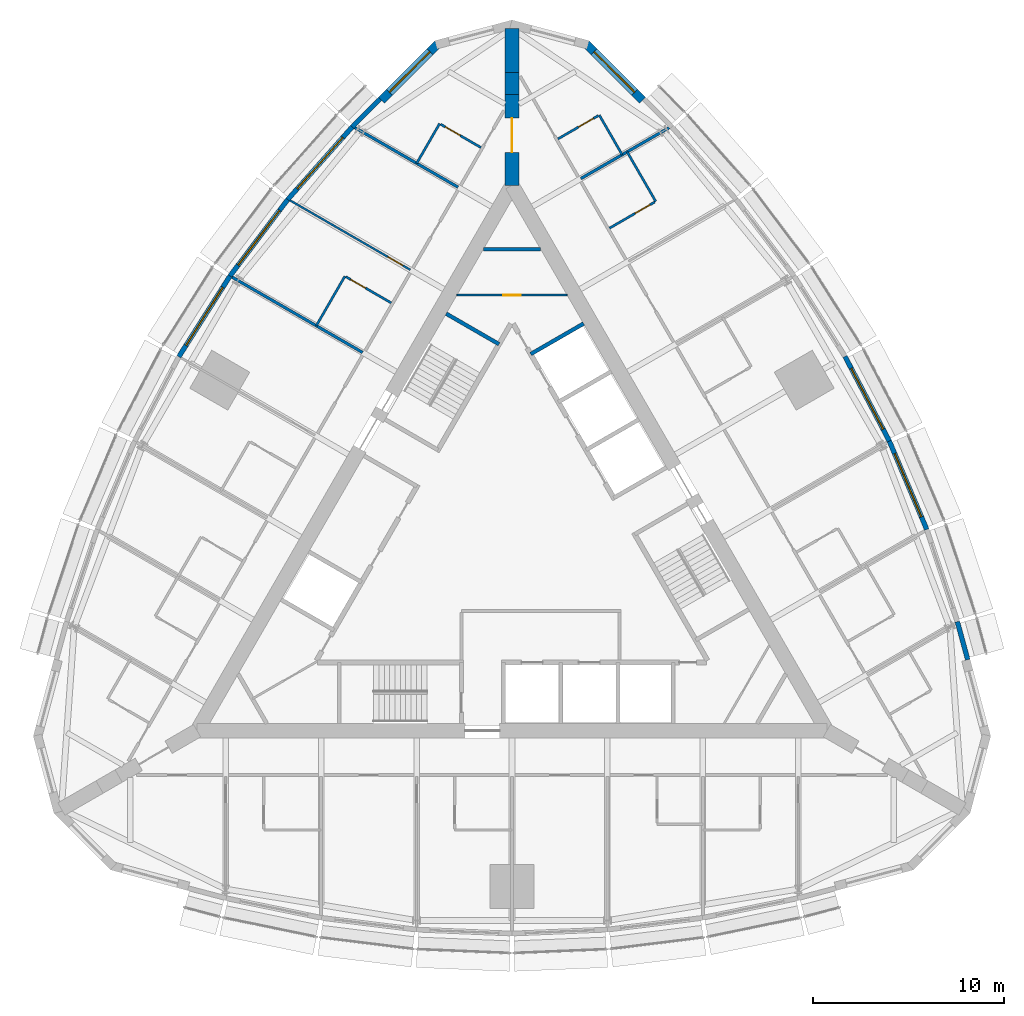
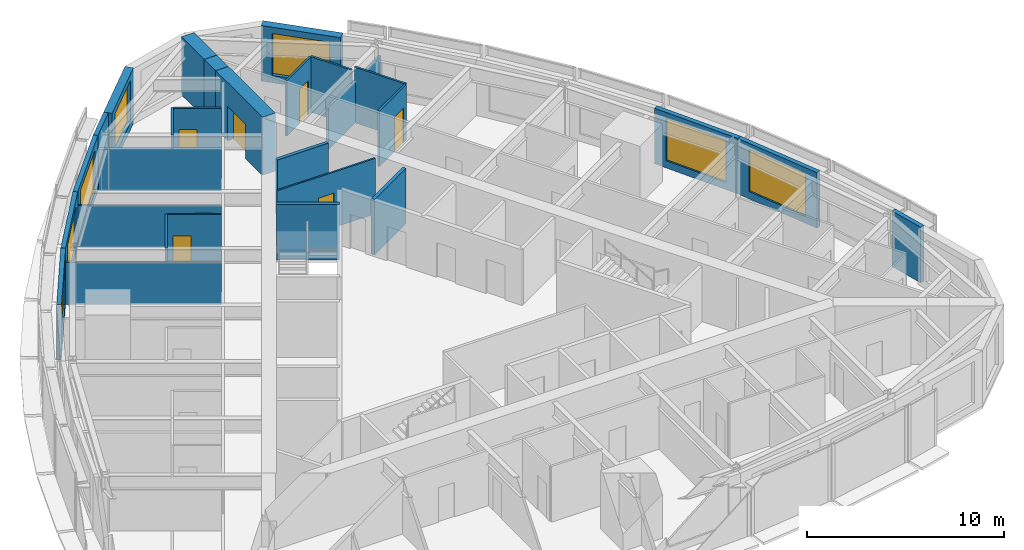
# One storey, part 13 of 15: 28 walls, 7 doors, 7 windows, 14 openings.
"""IFC4 building model written with IfcOpenShell, lengths in metres."""

import ifcopenshell
import ifcopenshell.guid

model = None  # the IFC model being written
_history = None  # IfcOwnerHistory: only IFC2X3 demands one
_inside = {}  # id of a spatial element -> (the spatial element, [elements in it])
_under = {}  # id of a project, library or spatial element -> (it, [spatial elements below it])
_declared = {}  # id of a project -> (the project, [libraries it declares])
_typed = {}  # id of a type object -> (the type object, [elements of that type])
_made_of = {}  # id of a material, layer set ... -> (it, [elements and type objects made of it])


def new_model(schema):
    """Start an empty IFC model of exactly this schema.

    Asked for "IFC4X3", IfcOpenShell would pick the latest addendum, in which some entities
    have other attributes; the version numbers below select the first issue.
    IFC2X3 requires an IfcOwnerHistory on every rooted entity: one is made here for all.
    """
    global model, _history
    if schema == "IFC4X3":
        model = ifcopenshell.file(schema_version=(4, 3, 0, 0))
    else:
        model = ifcopenshell.file(schema=schema)
    _inside.clear()
    _under.clear()
    _declared.clear()
    _typed.clear()
    _made_of.clear()
    _history = None
    if model.schema == "IFC2X3":
        org = make("IfcOrganization", Name="unknown")
        user = make(
            "IfcPersonAndOrganization",
            ThePerson=make("IfcPerson", FamilyName="unknown"),
            TheOrganization=org,
        )
        app = make(
            "IfcApplication",
            ApplicationDeveloper=org,
            Version="unknown",
            ApplicationFullName="unknown",
            ApplicationIdentifier="unknown",
        )
        _history = make(
            "IfcOwnerHistory",
            OwningUser=user,
            OwningApplication=app,
            ChangeAction="ADDED",
            CreationDate=0,
        )
    return model


def make(cls, **values):
    """One entity of the class cls with the attributes given. An attribute that is None is left unset."""
    return model.create_entity(
        cls, **{name: value for name, value in values.items() if value is not None}
    )


def rooted(cls, **values):
    """An entity with a GlobalId (a new one), such as an element, a storey or a relation."""
    return make(cls, GlobalId=ifcopenshell.guid.new(), OwnerHistory=_history, **values)


def si_unit(unit_type, name, prefix=None):
    """IfcSIUnit, for example si_unit("LENGTHUNIT", "METRE", prefix="MILLI")."""
    return make("IfcSIUnit", UnitType=unit_type, Prefix=prefix, Name=name)


def assignment(units):
    """IfcUnitAssignment: the units of a project."""
    return None if units is None else make("IfcUnitAssignment", Units=units)


def point(xyz):
    """IfcCartesianPoint."""
    return None if xyz is None else make("IfcCartesianPoint", Coordinates=xyz)


def direction(xyz):
    """IfcDirection."""
    return None if xyz is None else make("IfcDirection", DirectionRatios=xyz)


def frame(location, z_axis=None, x_axis=None):
    """IfcAxis2Placement3D, a coordinate frame: its origin and axes. An axis left out is left unset."""
    return make(
        "IfcAxis2Placement3D",
        Location=point(location),
        Axis=direction(z_axis),
        RefDirection=direction(x_axis),
    )


def frame_2d(location, x_axis=None):
    """IfcAxis2Placement2D, a coordinate frame in the plane: its origin and x axis."""
    return make(
        "IfcAxis2Placement2D", Location=point(location), RefDirection=direction(x_axis)
    )


def origin():
    """The frame at (0, 0, 0) with its axes left unset."""
    return frame((0.0, 0.0, 0.0))


def place(relative_to, where):
    """IfcLocalPlacement: puts the frame where relative to a parent placement (None: the world)."""
    return make(
        "IfcLocalPlacement", PlacementRelTo=relative_to, RelativePlacement=where
    )


def context(
    kind, dimensions, precision=None, world=None, true_north=None, identifier=None
):
    """IfcGeometricRepresentationContext, for example the 3D "Model" context."""
    return make(
        "IfcGeometricRepresentationContext",
        ContextIdentifier=identifier,
        ContextType=kind,
        CoordinateSpaceDimension=dimensions,
        Precision=precision,
        WorldCoordinateSystem=world,
        TrueNorth=true_north,
    )


def subcontext(parent, identifier, kind, view, scale=None):
    """IfcGeometricRepresentationSubContext, for example "Body" below "Model"."""
    return make(
        "IfcGeometricRepresentationSubContext",
        ContextIdentifier=identifier,
        ContextType=kind,
        ParentContext=parent,
        TargetScale=scale,
        TargetView=view,
    )


def project(units=None, contexts=None):
    """IfcProject with its units and contexts."""
    return rooted(
        "IfcProject",
        Name="project",
        RepresentationContexts=contexts,
        UnitsInContext=assignment(units),
    )


def spatial(cls, under=None, at=None, **own):
    """A site, building, storey or space (cls), placed at a placement, below another one or the project."""
    s = rooted(cls, ObjectPlacement=at, **own)
    if under is not None:
        _under.setdefault(under.id(), (under, []))[1].append(s)
    return s


def profile(cls, at=None, kind="AREA", **sizes):
    """A parametric profile (cls). Its sizes go by their IFC names, for example OverallWidth=200.0."""
    return make(cls, ProfileType=kind, Position=at, **sizes)


def rectangle(**sizes):
    """IfcRectangleProfileDef."""
    return profile("IfcRectangleProfileDef", **sizes)


def extrude(swept, where, along, depth):
    """IfcExtrudedAreaSolid: the profile swept, set in the frame where, extruded along a direction by depth."""
    return make(
        "IfcExtrudedAreaSolid",
        SweptArea=swept,
        Position=where,
        ExtrudedDirection=direction(along),
        Depth=depth,
    )


def shape(context_of_items, identifier, shape_type, items):
    """IfcShapeRepresentation: the items that make up one representation, for example the "Body"."""
    return make(
        "IfcShapeRepresentation",
        ContextOfItems=context_of_items,
        RepresentationIdentifier=identifier,
        RepresentationType=shape_type,
        Items=items,
    )


def material(Name=None, Category=None):
    """IfcMaterial."""
    return make("IfcMaterial", Name=Name, Category=Category)


def layer(
    of_material, thickness, ventilated=None, Name=None, Category=None, Priority=None
):
    """IfcMaterialLayer: one layer of a wall or slab, of a material (None: an air gap)."""
    return make(
        "IfcMaterialLayer",
        Material=of_material,
        LayerThickness=thickness,
        IsVentilated=ventilated,
        Name=Name,
        Category=Category,
        Priority=Priority,
    )


def layer_set(layers, Name=None):
    """IfcMaterialLayerSet."""
    return make("IfcMaterialLayerSet", MaterialLayers=layers, LayerSetName=Name)


def made_of(thing, what):
    """Note that an element or type object is made of a material, layer set ...; save() writes the relation."""
    if what is not None:
        _made_of.setdefault(what.id(), (what, []))[1].append(thing)
    return thing


def type_object(cls, material=None, **own):
    """A type object (cls), such as IfcWallType, which elements share."""
    return made_of(rooted(cls, **own), material)


def element(
    cls,
    number,
    at=None,
    inside=None,
    cuts=None,
    type_object=None,
    material=None,
    context=None,
    identifier="Body",
    shape_type=None,
    held_by="IfcProductDefinitionShape",
    body=None,
    shapes=None,
    **own,
):
    """One element of the class cls, such as IfcWall. Its Tag is "e" and its number.

    at: its placement. inside: the storey or other place that contains it. cuts: it is an
    opening in that element (IfcRelVoidsElement). A single representation is given by context,
    identifier, shape_type and body (its items); several are given by shapes. held_by: the class
    of the entity that holds the representations. save() writes the other relations.
    """
    e = rooted(cls, Tag="e%d" % number, ObjectPlacement=at, **own)
    if body is not None:
        shapes = [shape(context, identifier, shape_type, body)]
    if shapes is not None:
        e.Representation = make(held_by, Representations=shapes)
    if inside is not None:
        _inside.setdefault(inside.id(), (inside, []))[1].append(e)
    if cuts is not None:
        rooted(
            "IfcRelVoidsElement", RelatingBuildingElement=cuts, RelatedOpeningElement=e
        )
    if type_object is not None:
        _typed.setdefault(type_object.id(), (type_object, []))[1].append(e)
    return made_of(e, material)


def fill(opening, filler):
    """IfcRelFillsElement: the door or window that sits in an opening."""
    return rooted(
        "IfcRelFillsElement",
        RelatingOpeningElement=opening,
        RelatedBuildingElement=filler,
    )


def aggregate(whole, parts):
    """IfcRelAggregates: a whole, such as a stair, and the parts it consists of."""
    return rooted("IfcRelAggregates", RelatingObject=whole, RelatedObjects=parts)


def save(model, path):
    """Write the relations noted so far, then the file.

    IfcRelAggregates (storeys below a building ...), IfcRelContainedInSpatialStructure (elements
    in a storey), IfcRelDefinesByType, IfcRelAssociatesMaterial and IfcRelDeclares: one each for
    every whole, place, type object, material and project.
    """
    for whole, parts in _under.values():
        aggregate(whole, parts)
    for where, things in _inside.values():
        rooted(
            "IfcRelContainedInSpatialStructure",
            RelatedElements=things,
            RelatingStructure=where,
        )
    for kind, things in _typed.values():
        rooted("IfcRelDefinesByType", RelatedObjects=things, RelatingType=kind)
    for what, things in _made_of.values():
        rooted("IfcRelAssociatesMaterial", RelatedObjects=things, RelatingMaterial=what)
    for by, libraries in _declared.values():
        rooted("IfcRelDeclares", RelatingContext=by, RelatedDefinitions=libraries)
    model.write(path)


model = new_model("IFC4")

# Units and contexts
model_context = context("Model", 3, precision=1e-05, world=origin(), true_north=direction((0.0, 1.0)))
body_context = subcontext(model_context, "Body", "Model", "MODEL_VIEW")
ifc_project = project(units=[si_unit("LENGTHUNIT", "METRE"), si_unit("AREAUNIT", "SQUARE_METRE"), si_unit("VOLUMEUNIT", "CUBIC_METRE"), si_unit("PLANEANGLEUNIT", "RADIAN"), si_unit("MASSUNIT", "GRAM", prefix="KILO")], contexts=[model_context])

# Site, building, storey
site_placement = place(None, origin())
site = spatial("IfcSite", under=ifc_project, at=site_placement, CompositionType="ELEMENT")
building_placement = place(site_placement, origin())
building = spatial("IfcBuilding", under=site, at=building_placement, Name="Trikona Tower", CompositionType="ELEMENT")
storey_placement = place(building_placement, frame((0.0, 0.0, 211.699951171875)))
storey = spatial("IfcBuildingStorey", under=building, at=storey_placement, Name="L56", CompositionType="ELEMENT", Elevation=211.699951171875)

# Wall
ifc_material_1 = material(Name="Metal stud and cement board", Category="gypsum")
ifc_layer_1 = layer(ifc_material_1, 0.1201171875)
ifc_layer_set_1 = layer_set([ifc_layer_1], Name="Bathroom wall 120")
wall_type_1 = type_object("IfcWallType", Name="Bathroom wall 120", PredefinedType="PLUMBINGWALL", material=ifc_layer_set_1)
wall_1_placement = place(storey_placement, frame((7.53271484375, 18.205322265625, 0.0), z_axis=(0.0, 0.0, 1.0), x_axis=(-0.499990139034, 0.866031096941, 0.0)))
element("IfcWall", 1, at=wall_1_placement, inside=storey, type_object=wall_type_1, Name="Bathroom wall 5609.1", PredefinedType="PLUMBINGWALL", context=body_context, shape_type="SweptSolid", body=[
    extrude(rectangle(XDim=3.0, YDim=0.1201171875, at=frame_2d((1.5, 0.0))), origin(), (0.0, 0.0, 1.0), 3.43505859375),
])

# Wall, opening, door
wall_2_placement = place(storey_placement, frame((5.10791015625, 16.805419921875, 0.0), z_axis=(0.0, 0.0, 1.0), x_axis=(0.866035715982, 0.499982138324, 0.0)))
wall_2 = element("IfcWall", 2, at=wall_2_placement, inside=storey, type_object=wall_type_1, Name="Bathroom wall 5609.1", PredefinedType="PLUMBINGWALL", context=body_context, shape_type="SweptSolid", body=[
    extrude(rectangle(XDim=2.73974609375, YDim=0.1201171875, at=frame_2d((1.369873046875, 0.0))), origin(), (0.0, 0.0, 1.0), 3.43505859375),
])
opening_1_placement = place(wall_2_placement, frame((1.550048828125, 0.0, 0.0)))
opening_1 = element("IfcOpeningElement", 3, at=opening_1_placement, cuts=wall_2, Name="Opening D2", PredefinedType="OPENING", context=body_context, shape_type="SweptSolid", body=[
    extrude(rectangle(XDim=0.89990234375, YDim=2.1298828125, at=frame_2d((0.449951171875, 1.06494140625))), frame((0.0, 0.070068359375, 0.0), z_axis=(0.0, -1.0, 0.0), x_axis=(1.0, 0.0, 0.0)), (0.0, 0.0, 1.0), 0.14013671875),
])
ifc_material_2 = material(Name="Steel door frame with solid-core timber leaf", Category="steel")
door_type_1 = type_object("IfcDoorType", Name="Bathroom door 900x2130", OperationType="SLIDING_TO_LEFT", PredefinedType="DOOR", material=ifc_material_2)
door_1_placement = place(opening_1_placement, origin())
door_1 = element("IfcDoor", 4, at=door_1_placement, inside=storey, type_object=door_type_1, Name="Bathroom door 5609.1", OperationType="SLIDING_TO_LEFT", OverallHeight=2.1298828125, OverallWidth=0.89990234375, PredefinedType="DOOR", context=body_context, shape_type="SweptSolid", body=[
    extrude(rectangle(XDim=0.89990234375, YDim=2.1298828125, at=frame_2d((0.449951171875, 1.06494140625))), frame((0.0, 0.02490234375, 0.0), z_axis=(0.0, -1.0, 0.0), x_axis=(1.0, 0.0, 0.0)), (0.0, 0.0, 1.0), 0.050048828125),
])
fill(opening_1, door_1)

# Wall
wall_3_placement = place(storey_placement, frame((5.77294921875, 20.653564453125, 0.0), z_axis=(0.0, 0.0, 1.0), x_axis=(-0.500001309137, 0.866024647952, 0.0)))
element("IfcWall", 5, at=wall_3_placement, inside=storey, type_object=wall_type_1, Name="Bathroom wall 5610", PredefinedType="PLUMBINGWALL", context=body_context, shape_type="SweptSolid", body=[
    extrude(rectangle(XDim=2.39990234375, YDim=0.1201171875, at=frame_2d((1.199951171875, 0.0))), origin(), (0.0, 0.0, 1.0), 3.43505859375),
])

# Wall, opening, door
wall_4_placement = place(storey_placement, frame((2.407958984375, 21.48193359375, 0.0), z_axis=(0.0, 0.0, 1.0), x_axis=(0.866023955769, 0.500002508028, 0.0)))
wall_4 = element("IfcWall", 6, at=wall_4_placement, inside=storey, type_object=wall_type_1, Name="Bathroom wall 5610", PredefinedType="PLUMBINGWALL", context=body_context, shape_type="SweptSolid", body=[
    extrude(rectangle(XDim=2.43994140625, YDim=0.1201171875, at=frame_2d((1.219970703125, 0.0))), origin(), (0.0, 0.0, 1.0), 3.43505859375),
])
opening_2_placement = place(wall_4_placement, frame((1.25, 0.0, 0.0)))
opening_2 = element("IfcOpeningElement", 7, at=opening_2_placement, cuts=wall_4, Name="Opening D2", PredefinedType="OPENING", context=body_context, shape_type="SweptSolid", body=[
    extrude(rectangle(XDim=0.89990234375, YDim=2.1298828125, at=frame_2d((0.449951171875, 1.06494140625))), frame((0.0, 0.070068359375, 0.0), z_axis=(0.0, -1.0, 0.0), x_axis=(1.0, 0.0, 0.0)), (0.0, 0.0, 1.0), 0.14013671875),
])
door_2_placement = place(opening_2_placement, origin())
door_2 = element("IfcDoor", 8, at=door_2_placement, inside=storey, type_object=door_type_1, Name="Bathroom door 5610", OperationType="SLIDING_TO_LEFT", OverallHeight=2.1298828125, OverallWidth=0.89990234375, PredefinedType="DOOR", context=body_context, shape_type="SweptSolid", body=[
    extrude(rectangle(XDim=0.89990234375, YDim=2.1298828125, at=frame_2d((0.449951171875, 1.06494140625))), frame((0.0, 0.02490234375, 0.0), z_axis=(0.0, -1.0, 0.0), x_axis=(1.0, 0.0, 0.0)), (0.0, 0.0, 1.0), 0.050048828125),
])
fill(opening_2, door_2)

# Wall
wall_5_placement = place(storey_placement, frame((-3.79345703125, 22.281982421875, 0.0), z_axis=(0.0, 0.0, 1.0), x_axis=(-0.500001309137, -0.866024647952, 0.0)))
element("IfcWall", 9, at=wall_5_placement, inside=storey, type_object=wall_type_1, Name="Bathroom wall 5611", PredefinedType="PLUMBINGWALL", context=body_context, shape_type="SweptSolid", body=[
    extrude(rectangle(XDim=2.39990234375, YDim=0.1201171875, at=frame_2d((1.199951171875, 0.0))), origin(), (0.0, 0.0, 1.0), 3.43505859375),
])

# Wall, opening, door
wall_6_placement = place(storey_placement, frame((-1.62841796875, 21.031982421875, 0.0), z_axis=(0.0, 0.0, 1.0), x_axis=(-0.866048967903, 0.499959183527, 0.0)))
wall_6 = element("IfcWall", 10, at=wall_6_placement, inside=storey, type_object=wall_type_1, Name="Bathroom wall 5611", PredefinedType="PLUMBINGWALL", context=body_context, shape_type="SweptSolid", body=[
    extrude(rectangle(XDim=2.440185546875, YDim=0.1201171875, at=frame_2d((1.22021484375, 0.0))), origin(), (0.0, 0.0, 1.0), 3.43505859375),
])
opening_3_placement = place(wall_6_placement, frame((1.25, 0.0, 0.0)))
opening_3 = element("IfcOpeningElement", 11, at=opening_3_placement, cuts=wall_6, Name="Opening D2", PredefinedType="OPENING", context=body_context, shape_type="SweptSolid", body=[
    extrude(rectangle(XDim=0.89990234375, YDim=2.1298828125, at=frame_2d((0.449951171875, 1.06494140625))), frame((0.0, 0.070068359375, 0.0), z_axis=(0.0, -1.0, 0.0), x_axis=(1.0, 0.0, 0.0)), (0.0, 0.0, 1.0), 0.14013671875),
])
door_3_placement = place(opening_3_placement, origin())
door_3 = element("IfcDoor", 12, at=door_3_placement, inside=storey, type_object=door_type_1, Name="Bathroom door 5611", OperationType="SLIDING_TO_LEFT", OverallHeight=2.1298828125, OverallWidth=0.89990234375, PredefinedType="DOOR", context=body_context, shape_type="SweptSolid", body=[
    extrude(rectangle(XDim=0.89990234375, YDim=2.1298828125, at=frame_2d((0.449951171875, 1.06494140625))), frame((0.0, 0.02490234375, 0.0), z_axis=(0.0, -1.0, 0.0), x_axis=(1.0, 0.0, 0.0)), (0.0, 0.0, 1.0), 0.050048828125),
])
fill(opening_3, door_3)

# Wall
wall_7_placement = place(storey_placement, frame((-8.75341796875, 14.291259765625, 0.0), z_axis=(0.0, 0.0, 1.0), x_axis=(-0.50002537861, -0.866010750942, 0.0)))
element("IfcWall", 13, at=wall_7_placement, inside=storey, type_object=wall_type_1, Name="Bathroom wall 5612.1", PredefinedType="PLUMBINGWALL", context=body_context, shape_type="SweptSolid", body=[
    extrude(rectangle(XDim=2.999755859375, YDim=0.1201171875, at=frame_2d((1.5, 0.0))), origin(), (0.0, 0.0, 1.0), 3.43505859375),
])

# Wall, opening, door
wall_8_placement = place(storey_placement, frame((-6.32861328125, 12.891357421875, 0.0), z_axis=(0.0, 0.0, 1.0), x_axis=(-0.866035715982, 0.499982138324, 0.0)))
wall_8 = element("IfcWall", 14, at=wall_8_placement, inside=storey, type_object=wall_type_1, Name="Bathroom wall 5612.1", PredefinedType="PLUMBINGWALL", context=body_context, shape_type="SweptSolid", body=[
    extrude(rectangle(XDim=2.73974609375, YDim=0.1201171875, at=frame_2d((1.369873046875, 0.0))), origin(), (0.0, 0.0, 1.0), 3.43505859375),
])
opening_4_placement = place(wall_8_placement, frame((1.550048828125, 0.0, 0.0)))
opening_4 = element("IfcOpeningElement", 15, at=opening_4_placement, cuts=wall_8, Name="Opening D2", PredefinedType="OPENING", context=body_context, shape_type="SweptSolid", body=[
    extrude(rectangle(XDim=0.89990234375, YDim=2.1298828125, at=frame_2d((0.449951171875, 1.06494140625))), frame((0.0, 0.070068359375, 0.0), z_axis=(0.0, -1.0, 0.0), x_axis=(1.0, 0.0, 0.0)), (0.0, 0.0, 1.0), 0.14013671875),
])
door_4_placement = place(opening_4_placement, origin())
door_4 = element("IfcDoor", 16, at=door_4_placement, inside=storey, type_object=door_type_1, Name="Bathroom door 5612.1", OperationType="SLIDING_TO_LEFT", OverallHeight=2.1298828125, OverallWidth=0.89990234375, PredefinedType="DOOR", context=body_context, shape_type="SweptSolid", body=[
    extrude(rectangle(XDim=0.89990234375, YDim=2.1298828125, at=frame_2d((0.449951171875, 1.06494140625))), frame((0.0, 0.02490234375, 0.0), z_axis=(0.0, -1.0, 0.0), x_axis=(1.0, 0.0, 0.0)), (0.0, 0.0, 1.0), 0.050048828125),
])
fill(opening_4, door_4)

# Wall, opening, window
ifc_material_3 = material(Name="Brick-faced precast concrete", Category="masonry")
ifc_layer_2 = layer(ifc_material_3, 0.449951171875)
ifc_layer_set_2 = layer_set([ifc_layer_2], Name="Brick-faced corner wall 450")
wall_type_2 = type_object("IfcWallType", Name="Brick-faced corner wall 450", PredefinedType="SOLIDWALL", material=ifc_layer_set_2)
wall_9_placement = place(storey_placement, frame((6.8408203125, 23.51220703125, 0.0), z_axis=(0.0, 0.0, 1.0), x_axis=(-0.707106781187, 0.707106781187, 0.0)))
wall_9 = element("IfcWall", 17, at=wall_9_placement, inside=storey, type_object=wall_type_2, Name="External wall L56-20", PredefinedType="SOLIDWALL", context=body_context, shape_type="SweptSolid", body=[
    extrude(rectangle(XDim=4.183837890625, YDim=0.449951171875, at=frame_2d((2.091796875, 0.0))), origin(), (0.0, 0.0, 1.0), 3.43505859375),
])
opening_5_placement = place(wall_9_placement, frame((0.592041015625, 0.0, 0.449951171875)))
opening_5 = element("IfcOpeningElement", 18, at=opening_5_placement, cuts=wall_9, Name="Opening W3026", PredefinedType="OPENING", context=body_context, shape_type="SweptSolid", body=[
    extrude(rectangle(XDim=3.0, YDim=2.60009765625, at=frame_2d((1.5, 1.300048828125))), frame((0.0, 0.23486328125, 0.0), z_axis=(0.0, -1.0, 0.0), x_axis=(1.0, 0.0, 0.0)), (0.0, 0.0, 1.0), 0.469970703125),
])
ifc_material_4 = material(Name="Aluminium-framed double glazing", Category="aluminium")
window_type_1 = type_object("IfcWindowType", Name="Window 3000x2600", PartitioningType="SINGLE_PANEL", PredefinedType="WINDOW", material=ifc_material_4)
window_1_placement = place(opening_5_placement, origin())
window_1 = element("IfcWindow", 19, at=window_1_placement, inside=storey, type_object=window_type_1, Name="Window 5610", OverallHeight=2.60009765625, OverallWidth=3.0, PartitioningType="SINGLE_PANEL", PredefinedType="WINDOW", context=body_context, shape_type="SweptSolid", body=[
    extrude(rectangle(XDim=3.0, YDim=2.60009765625, at=frame_2d((1.5, 1.300048828125))), frame((0.0, 0.030029296875, 0.0), z_axis=(0.0, -1.0, 0.0), x_axis=(1.0, 0.0, 0.0)), (0.0, 0.0, 1.0), 0.06005859375),
])
fill(opening_5, window_1)

wall_10_placement = place(storey_placement, frame((-3.88232421875, 26.470703125, 0.0), z_axis=(0.0, 0.0, 1.0), x_axis=(-0.707106781187, -0.707106781187, 0.0)))
wall_10 = element("IfcWall", 20, at=wall_10_placement, inside=storey, type_object=wall_type_2, Name="External wall L56-23", PredefinedType="SOLIDWALL", context=body_context, shape_type="SweptSolid", body=[
    extrude(rectangle(XDim=4.183837890625, YDim=0.449951171875, at=frame_2d((2.091796875, 0.0))), origin(), (0.0, 0.0, 1.0), 3.43505859375),
])
opening_6_placement = place(wall_10_placement, frame((0.592041015625, 0.0, 0.449951171875)))
opening_6 = element("IfcOpeningElement", 21, at=opening_6_placement, cuts=wall_10, Name="Opening W3026", PredefinedType="OPENING", context=body_context, shape_type="SweptSolid", body=[
    extrude(rectangle(XDim=3.0, YDim=2.60009765625, at=frame_2d((1.5, 1.300048828125))), frame((0.0, 0.23486328125, 0.0), z_axis=(0.0, -1.0, 0.0), x_axis=(1.0, 0.0, 0.0)), (0.0, 0.0, 1.0), 0.469970703125),
])
window_2_placement = place(opening_6_placement, origin())
window_2 = element("IfcWindow", 22, at=window_2_placement, inside=storey, type_object=window_type_1, Name="Window 5611", OverallHeight=2.60009765625, OverallWidth=3.0, PartitioningType="SINGLE_PANEL", PredefinedType="WINDOW", context=body_context, shape_type="SweptSolid", body=[
    extrude(rectangle(XDim=3.0, YDim=2.60009765625, at=frame_2d((1.5, 1.300048828125))), frame((0.0, 0.030029296875, 0.0), z_axis=(0.0, -1.0, 0.0), x_axis=(1.0, 0.0, 0.0)), (0.0, 0.0, 1.0), 0.06005859375),
])
fill(opening_6, window_2)

# Wall, opening, door
ifc_material_5 = material(Name="Concrete f'c 10000 psi", Category="concrete")
ifc_layer_3 = layer(ifc_material_5, 0.75)
ifc_layer_set_3 = layer_set([ifc_layer_3], Name="Buttress wall 750")
wall_type_3 = type_object("IfcWallType", Name="Buttress wall 750", PredefinedType="SHEAR", material=ifc_layer_set_3)
wall_11_placement = place(storey_placement, frame((0.0, 19.052490234375, 0.0), z_axis=(0.0, 0.0, 1.0), x_axis=(0.0, 1.0, 0.0)))
wall_11 = element("IfcWall", 23, at=wall_11_placement, inside=storey, type_object=wall_type_3, Name="Buttress wall 2", PredefinedType="SHEAR", context=body_context, shape_type="SweptSolid", body=[
    extrude(rectangle(XDim=4.74609375, YDim=0.75, at=frame_2d((2.373046875, 0.0))), origin(), (0.0, 0.0, 1.0), 3.60009765625),
])
opening_7_placement = place(wall_11_placement, frame((1.72509765625, 0.0, 0.0)))
opening_7 = element("IfcOpeningElement", 24, at=opening_7_placement, cuts=wall_11, Name="Opening D10", PredefinedType="OPENING", context=body_context, shape_type="SweptSolid", body=[
    extrude(rectangle(XDim=1.800048828125, YDim=2.1298828125, at=frame_2d((0.89990234375, 1.06494140625))), frame((0.0, 0.385009765625, 0.0), z_axis=(0.0, -1.0, 0.0), x_axis=(1.0, 0.0, 0.0)), (0.0, 0.0, 1.0), 0.77001953125),
])
ifc_material_6 = material(Name="Hollow metal door and frame", Category="steel")
door_type_2 = type_object("IfcDoorType", Name="Cross-corridor door pair 1800x2130", OperationType="DOUBLE_DOOR_DOUBLE_SWING", PredefinedType="DOOR", material=ifc_material_6)
door_5_placement = place(opening_7_placement, origin())
door_5 = element("IfcDoor", 25, at=door_5_placement, inside=storey, type_object=door_type_2, Name="Cross-corridor door 2", OperationType="DOUBLE_DOOR_DOUBLE_SWING", OverallHeight=2.1298828125, OverallWidth=1.800048828125, PredefinedType="DOOR", context=body_context, shape_type="SweptSolid", body=[
    extrude(rectangle(XDim=1.800048828125, YDim=2.1298828125, at=frame_2d((0.89990234375, 1.06494140625))), frame((0.0, 0.02490234375, 0.0), z_axis=(0.0, -1.0, 0.0), x_axis=(1.0, 0.0, 0.0)), (0.0, 0.0, 1.0), 0.050048828125),
])
fill(opening_7, door_5)

# Walls
wall_12_placement = place(storey_placement, frame((0.0, 23.798583984375, 0.0), z_axis=(0.0, 0.0, 1.0), x_axis=(0.0, 1.0, 0.0)))
element("IfcWall", 26, at=wall_12_placement, inside=storey, type_object=wall_type_3, Name="Buttress wall 2 part 2", PredefinedType="SHEAR", context=body_context, shape_type="SweptSolid", body=[
    extrude(rectangle(XDim=1.15478515625, YDim=0.75, at=frame_2d((0.577392578125, 0.0))), origin(), (0.0, 0.0, 1.0), 3.60009765625),
])
wall_13_placement = place(storey_placement, frame((0.0, 24.953369140625, 0.0), z_axis=(0.0, 0.0, 1.0), x_axis=(0.0, 1.0, 0.0)))
element("IfcWall", 27, at=wall_13_placement, inside=storey, type_object=wall_type_3, Name="Buttress wall 2 part 3", PredefinedType="SHEAR", context=body_context, shape_type="SweptSolid", body=[
    extrude(rectangle(XDim=2.309326171875, YDim=0.75, at=frame_2d((1.15478515625, 0.0))), origin(), (0.0, 0.0, 1.0), 3.60009765625),
])
ifc_material_7 = material(Name="Insulated precast concrete spandrel panel", Category="concrete")
ifc_layer_4 = layer(ifc_material_7, 0.25)
ifc_layer_set_4 = layer_set([ifc_layer_4], Name="Inner skin wall 250")
wall_type_4 = type_object("IfcWallType", Name="Inner skin wall 250", PredefinedType="STANDARD", material=ifc_layer_set_4)
wall_14_placement = place(storey_placement, frame((23.87939453125, -5.806396484375, 0.0), z_axis=(0.0, 0.0, 1.0), x_axis=(-0.262867703986, 0.964831887015, 0.0)))
element("IfcWall", 28, at=wall_14_placement, inside=storey, type_object=wall_type_4, Name="External wall L56-12", PredefinedType="STANDARD", context=body_context, shape_type="SweptSolid", body=[
    extrude(rectangle(XDim=2.068359375, YDim=0.25, at=frame_2d((1.0341796875, 0.0))), origin(), (0.0, 0.0, 1.0), 3.43505859375),
])

# Wall, opening, window
wall_15_placement = place(storey_placement, frame((21.73291015625, 1.01806640625, 0.0), z_axis=(0.0, 0.0, 1.0), x_axis=(-0.390096809471, 0.920773848044, 0.0)))
wall_15 = element("IfcWall", 29, at=wall_15_placement, inside=storey, type_object=wall_type_4, Name="External wall L56-14", PredefinedType="STANDARD", context=body_context, shape_type="SweptSolid", body=[
    extrude(rectangle(XDim=5.0380859375, YDim=0.25, at=frame_2d((2.51904296875, 0.0))), origin(), (0.0, 0.0, 1.0), 3.43505859375),
])
opening_8_placement = place(wall_15_placement, frame((0.718994140625, 0.0, 0.449951171875)))
opening_8 = element("IfcOpeningElement", 30, at=opening_8_placement, cuts=wall_15, Name="Opening W3626", PredefinedType="OPENING", context=body_context, shape_type="SweptSolid", body=[
    extrude(rectangle(XDim=3.60009765625, YDim=2.60009765625, at=frame_2d((1.800048828125, 1.300048828125))), frame((0.0, 0.135009765625, 0.0), z_axis=(0.0, -1.0, 0.0), x_axis=(1.0, 0.0, 0.0)), (0.0, 0.0, 1.0), 0.27001953125),
])
ifc_material_8 = material(Name="Aluminium-framed double glazing", Category="aluminium")
window_type_2 = type_object("IfcWindowType", Name="Window 3600x2600", PartitioningType="SINGLE_PANEL", PredefinedType="WINDOW", material=ifc_material_8)
window_3_placement = place(opening_8_placement, origin())
window_3 = element("IfcWindow", 31, at=window_3_placement, inside=storey, type_object=window_type_2, Name="Window 5607", OverallHeight=2.60009765625, OverallWidth=3.60009765625, PartitioningType="SINGLE_PANEL", PredefinedType="WINDOW", context=body_context, shape_type="SweptSolid", body=[
    extrude(rectangle(XDim=3.60009765625, YDim=2.60009765625, at=frame_2d((1.800048828125, 1.300048828125))), frame((0.0, 0.030029296875, 0.0), z_axis=(0.0, -1.0, 0.0), x_axis=(1.0, 0.0, 0.0)), (0.0, 0.0, 1.0), 0.06005859375),
])
fill(opening_8, window_3)

wall_16_placement = place(storey_placement, frame((19.772216796875, 5.64794921875, 0.0), z_axis=(0.0, 0.0, 1.0), x_axis=(-0.463976002579, 0.885847768542, 0.0)))
wall_16 = element("IfcWall", 32, at=wall_16_placement, inside=storey, type_object=wall_type_4, Name="External wall L56-15", PredefinedType="STANDARD", context=body_context, shape_type="SweptSolid", body=[
    extrude(rectangle(XDim=5.004150390625, YDim=0.25, at=frame_2d((2.501953125, 0.0))), origin(), (0.0, 0.0, 1.0), 3.43505859375),
])
opening_9_placement = place(wall_16_placement, frame((0.7021484375, 0.0, 0.449951171875)))
opening_9 = element("IfcOpeningElement", 33, at=opening_9_placement, cuts=wall_16, Name="Opening W3626", PredefinedType="OPENING", context=body_context, shape_type="SweptSolid", body=[
    extrude(rectangle(XDim=3.60009765625, YDim=2.60009765625, at=frame_2d((1.800048828125, 1.300048828125))), frame((0.0, 0.135009765625, 0.0), z_axis=(0.0, -1.0, 0.0), x_axis=(1.0, 0.0, 0.0)), (0.0, 0.0, 1.0), 0.27001953125),
])
window_4_placement = place(opening_9_placement, origin())
window_4 = element("IfcWindow", 34, at=window_4_placement, inside=storey, type_object=window_type_2, Name="Window 5608", OverallHeight=2.60009765625, OverallWidth=3.60009765625, PartitioningType="SINGLE_PANEL", PredefinedType="WINDOW", context=body_context, shape_type="SweptSolid", body=[
    extrude(rectangle(XDim=3.60009765625, YDim=2.60009765625, at=frame_2d((1.800048828125, 1.300048828125))), frame((0.0, 0.030029296875, 0.0), z_axis=(0.0, -1.0, 0.0), x_axis=(1.0, 0.0, 0.0)), (0.0, 0.0, 1.0), 0.06005859375),
])
fill(opening_9, window_4)

# Wall
wall_17_placement = place(storey_placement, frame((-6.9111328125, 23.58349609375, 0.0), z_axis=(0.0, 0.0, 1.0), x_axis=(-0.704149946111, -0.710051303352, 0.0)))
element("IfcWall", 35, at=wall_17_placement, inside=storey, type_object=wall_type_4, Name="External wall L56-24", PredefinedType="STANDARD", context=body_context, shape_type="SweptSolid", body=[
    extrude(rectangle(XDim=2.068603515625, YDim=0.25, at=frame_2d((1.0341796875, 0.0))), origin(), (0.0, 0.0, 1.0), 3.43505859375),
])

# Wall, opening, window
wall_18_placement = place(storey_placement, frame((-8.363037109375, 22.119873046875, 0.0), z_axis=(0.0, 0.0, 1.0), x_axis=(-0.664348996191, -0.747422511876, 0.0)))
wall_18 = element("IfcWall", 36, at=wall_18_placement, inside=storey, type_object=wall_type_4, Name="External wall L56-25", PredefinedType="STANDARD", context=body_context, shape_type="SweptSolid", body=[
    extrude(rectangle(XDim=5.104736328125, YDim=0.25, at=frame_2d((2.55224609375, 0.0))), origin(), (0.0, 0.0, 1.0), 3.43505859375),
])
opening_10_placement = place(wall_18_placement, frame((0.75244140625, 0.0, 0.449951171875)))
opening_10 = element("IfcOpeningElement", 37, at=opening_10_placement, cuts=wall_18, Name="Opening W3626", PredefinedType="OPENING", context=body_context, shape_type="SweptSolid", body=[
    extrude(rectangle(XDim=3.60009765625, YDim=2.60009765625, at=frame_2d((1.800048828125, 1.300048828125))), frame((0.0, 0.135009765625, 0.0), z_axis=(0.0, -1.0, 0.0), x_axis=(1.0, 0.0, 0.0)), (0.0, 0.0, 1.0), 0.27001953125),
])
window_5_placement = place(opening_10_placement, origin())
window_5 = element("IfcWindow", 38, at=window_5_placement, inside=storey, type_object=window_type_2, Name="Window 5612", OverallHeight=2.60009765625, OverallWidth=3.60009765625, PartitioningType="SINGLE_PANEL", PredefinedType="WINDOW", context=body_context, shape_type="SweptSolid", body=[
    extrude(rectangle(XDim=3.60009765625, YDim=2.60009765625, at=frame_2d((1.800048828125, 1.300048828125))), frame((0.0, 0.030029296875, 0.0), z_axis=(0.0, -1.0, 0.0), x_axis=(1.0, 0.0, 0.0)), (0.0, 0.0, 1.0), 0.06005859375),
])
fill(opening_10, window_5)

wall_19_placement = place(storey_placement, frame((-11.748046875, 18.31201171875, 0.0), z_axis=(0.0, 0.0, 1.0), x_axis=(-0.602408653511, -0.798187831388, 0.0)))
wall_19 = element("IfcWall", 39, at=wall_19_placement, inside=storey, type_object=wall_type_4, Name="External wall L56-26", PredefinedType="STANDARD", context=body_context, shape_type="SweptSolid", body=[
    extrude(rectangle(XDim=5.037841796875, YDim=0.25, at=frame_2d((2.51904296875, 0.0))), origin(), (0.0, 0.0, 1.0), 3.43505859375),
])
opening_11_placement = place(wall_19_placement, frame((0.718994140625, 0.0, 0.449951171875)))
opening_11 = element("IfcOpeningElement", 40, at=opening_11_placement, cuts=wall_19, Name="Opening W3626", PredefinedType="OPENING", context=body_context, shape_type="SweptSolid", body=[
    extrude(rectangle(XDim=3.60009765625, YDim=2.60009765625, at=frame_2d((1.800048828125, 1.300048828125))), frame((0.0, 0.135009765625, 0.0), z_axis=(0.0, -1.0, 0.0), x_axis=(1.0, 0.0, 0.0)), (0.0, 0.0, 1.0), 0.27001953125),
])
window_6_placement = place(opening_11_placement, origin())
window_6 = element("IfcWindow", 41, at=window_6_placement, inside=storey, type_object=window_type_2, Name="Window 5612.1", OverallHeight=2.60009765625, OverallWidth=3.60009765625, PartitioningType="SINGLE_PANEL", PredefinedType="WINDOW", context=body_context, shape_type="SweptSolid", body=[
    extrude(rectangle(XDim=3.60009765625, YDim=2.60009765625, at=frame_2d((1.800048828125, 1.300048828125))), frame((0.0, 0.030029296875, 0.0), z_axis=(0.0, -1.0, 0.0), x_axis=(1.0, 0.0, 0.0)), (0.0, 0.0, 1.0), 0.06005859375),
])
fill(opening_11, window_6)

wall_20_placement = place(storey_placement, frame((-14.777099609375, 14.29931640625, 0.0), z_axis=(0.0, 0.0, 1.0), x_axis=(-0.535220361449, -0.844712474568, 0.0)))
wall_20 = element("IfcWall", 42, at=wall_20_placement, inside=storey, type_object=wall_type_4, Name="External wall L56-27", PredefinedType="STANDARD", context=body_context, shape_type="SweptSolid", body=[
    extrude(rectangle(XDim=5.00439453125, YDim=0.25, at=frame_2d((2.502197265625, 0.0))), origin(), (0.0, 0.0, 1.0), 3.43505859375),
])
opening_12_placement = place(wall_20_placement, frame((0.7021484375, 0.0, 0.449951171875)))
opening_12 = element("IfcOpeningElement", 43, at=opening_12_placement, cuts=wall_20, Name="Opening W3626", PredefinedType="OPENING", context=body_context, shape_type="SweptSolid", body=[
    extrude(rectangle(XDim=3.60009765625, YDim=2.60009765625, at=frame_2d((1.800048828125, 1.300048828125))), frame((0.0, 0.135009765625, 0.0), z_axis=(0.0, -1.0, 0.0), x_axis=(1.0, 0.0, 0.0)), (0.0, 0.0, 1.0), 0.27001953125),
])
window_7_placement = place(opening_12_placement, origin())
window_7 = element("IfcWindow", 44, at=window_7_placement, inside=storey, type_object=window_type_2, Name="Window 5613", OverallHeight=2.60009765625, OverallWidth=3.60009765625, PartitioningType="SINGLE_PANEL", PredefinedType="WINDOW", context=body_context, shape_type="SweptSolid", body=[
    extrude(rectangle(XDim=3.60009765625, YDim=2.60009765625, at=frame_2d((1.800048828125, 1.300048828125))), frame((0.0, 0.030029296875, 0.0), z_axis=(0.0, -1.0, 0.0), x_axis=(1.0, 0.0, 0.0)), (0.0, 0.0, 1.0), 0.06005859375),
])
fill(opening_12, window_7)

# Walls
ifc_material_9 = material(Name="Metal stud and gypsum board, 1-hour acoustic", Category="gypsum")
ifc_layer_5 = layer(ifc_material_9, 0.14990234375)
ifc_layer_set_5 = layer_set([ifc_layer_5], Name="Party wall 150")
wall_type_5 = type_object("IfcWallType", Name="Party wall 150", PredefinedType="PARTITIONING", material=ifc_layer_set_5)
wall_21_placement = place(storey_placement, frame((3.60791015625, 19.403564453125, 0.0), z_axis=(0.0, 0.0, 1.0), x_axis=(0.866028745538, 0.499994211868, 0.0)))
element("IfcWall", 45, at=wall_21_placement, inside=storey, type_object=wall_type_5, Name="Partition L56 F2 u15", PredefinedType="PARTITIONING", context=body_context, shape_type="SweptSolid", body=[
    extrude(rectangle(XDim=5.33984375, YDim=0.14990234375, at=frame_2d((2.669921875, 0.0))), origin(), (0.0, 0.0, 1.0), 2.58935546875),
])
wall_22_placement = place(storey_placement, frame((-2.82861328125, 18.95361328125, 0.0), z_axis=(0.0, 0.0, 1.0), x_axis=(-0.866026604282, 0.499997920671, 0.0)))
element("IfcWall", 46, at=wall_22_placement, inside=storey, type_object=wall_type_5, Name="Partition L56 F3 u-15", PredefinedType="PARTITIONING", context=body_context, shape_type="SweptSolid", body=[
    extrude(rectangle(XDim=6.23974609375, YDim=0.14990234375, at=frame_2d((3.119873046875, 0.0))), origin(), (0.0, 0.0, 1.0), 2.58935546875),
])
wall_23_placement = place(storey_placement, frame((-7.82861328125, 10.293212890625, 0.0), z_axis=(0.0, 0.0, 1.0), x_axis=(-0.866030558329, 0.49999107196, 0.0)))
element("IfcWall", 47, at=wall_23_placement, inside=storey, type_object=wall_type_5, Name="Partition L56 F3 u-5", PredefinedType="PARTITIONING", context=body_context, shape_type="SweptSolid", body=[
    extrude(rectangle(XDim=7.893798828125, YDim=0.14990234375, at=frame_2d((3.94677734375, 0.0))), origin(), (0.0, 0.0, 1.0), 2.58935546875),
])
ifc_material_10 = material(Name="Concrete f'c 8000 psi", Category="concrete")
ifc_layer_6 = layer(ifc_material_10, 0.199951171875)
ifc_layer_set_6 = layer_set([ifc_layer_6], Name="Shaft wall 200")
wall_type_6 = type_object("IfcWallType", Name="Shaft wall 200", PredefinedType="SOLIDWALL", material=ifc_layer_set_6)
wall_24_placement = place(storey_placement, frame((0.97900390625, 10.20703125, 0.0), z_axis=(0.0, 0.0, 1.0), x_axis=(0.866042017984, 0.499971222258, 0.0)))
element("IfcWall", 48, at=wall_24_placement, inside=storey, type_object=wall_type_6, Name="Shaft wall B6", PredefinedType="SOLIDWALL", context=body_context, shape_type="SweptSolid", body=[
    extrude(rectangle(XDim=3.199951171875, YDim=0.199951171875, at=frame_2d((1.60009765625, 0.0))), origin(), (0.0, 0.0, 1.0), 3.43505859375),
])
wall_25_placement = place(storey_placement, frame((-1.501220703125, 15.70263671875, 0.0), z_axis=(0.0, 0.0, 1.0), x_axis=(1.0, 0.0, 0.0)))
element("IfcWall", 49, at=wall_25_placement, inside=storey, type_object=wall_type_6, Name="Riser wall L56-RS2", PredefinedType="SOLIDWALL", context=body_context, shape_type="SweptSolid", body=[
    extrude(rectangle(XDim=3.00244140625, YDim=0.199951171875, at=frame_2d((1.501220703125, 0.0))), origin(), (0.0, 0.0, 1.0), 3.43505859375),
])
ifc_material_11 = material(Name="Concrete f'c 8000 psi", Category="concrete")
ifc_layer_7 = layer(ifc_material_11, 0.199951171875)
ifc_layer_set_7 = layer_set([ifc_layer_7], Name="Shaft wall 200 load-bearing")
wall_type_7 = type_object("IfcWallType", Name="Shaft wall 200 load-bearing", PredefinedType="SOLIDWALL", material=ifc_layer_set_7)
wall_26_placement = place(storey_placement, frame((-0.678955078125, 10.7265625, 0.0), z_axis=(0.0, 0.0, 1.0), x_axis=(-0.866008981251, 0.500028443584, 0.0)))
element("IfcWall", 50, at=wall_26_placement, inside=storey, type_object=wall_type_7, Name="Shaft wall C1", PredefinedType="SOLIDWALL", context=body_context, shape_type="SweptSolid", body=[
    extrude(rectangle(XDim=3.199951171875, YDim=0.199951171875, at=frame_2d((1.60009765625, 0.0))), origin(), (0.0, 0.0, 1.0), 3.43505859375),
])

# Wall, opening, door
ifc_material_12 = material(Name="Metal stud and gypsum board, acoustic", Category="gypsum")
ifc_layer_8 = layer(ifc_material_12, 0.10009765625)
ifc_layer_set_8 = layer_set([ifc_layer_8], Name="Suite partition 100")
wall_type_8 = type_object("IfcWallType", Name="Suite partition 100", PredefinedType="PARTITIONING", material=ifc_layer_set_8)
wall_27_placement = place(storey_placement, frame((-5.32861328125, 14.623291015625, 0.0), z_axis=(0.0, 0.0, 1.0), x_axis=(-0.866017877653, 0.500013035415, 0.0)))
wall_27 = element("IfcWall", 51, at=wall_27_placement, inside=storey, type_object=wall_type_8, Name="Suite partition L56 F3 u-10", PredefinedType="PARTITIONING", context=body_context, shape_type="SweptSolid", body=[
    extrude(rectangle(XDim=7.272705078125, YDim=0.10009765625, at=frame_2d((3.63623046875, 0.0))), origin(), (0.0, 0.0, 1.0), 2.58935546875),
])
opening_13_placement = place(wall_27_placement, frame((0.449951171875, 0.0, 0.0)))
opening_13 = element("IfcOpeningElement", 52, at=opening_13_placement, cuts=wall_27, Name="Opening D13", PredefinedType="OPENING", context=body_context, shape_type="SweptSolid", body=[
    extrude(rectangle(XDim=0.89990234375, YDim=2.1298828125, at=frame_2d((0.449951171875, 1.06494140625))), frame((0.0, 0.06005859375, 0.0), z_axis=(0.0, -1.0, 0.0), x_axis=(1.0, 0.0, 0.0)), (0.0, 0.0, 1.0), 0.1201171875),
])
ifc_material_13 = material(Name="Steel door frame with solid-core timber leaf", Category="steel")
door_type_3 = type_object("IfcDoorType", Name="Suite door 900x2130", OperationType="SINGLE_SWING_LEFT", PredefinedType="DOOR", material=ifc_material_13)
door_6_placement = place(opening_13_placement, origin())
door_6 = element("IfcDoor", 53, at=door_6_placement, inside=storey, type_object=door_type_3, Name="Suite door 5612", OperationType="SINGLE_SWING_LEFT", OverallHeight=2.1298828125, OverallWidth=0.89990234375, PredefinedType="DOOR", context=body_context, shape_type="SweptSolid", body=[
    extrude(rectangle(XDim=0.89990234375, YDim=2.1298828125, at=frame_2d((0.449951171875, 1.06494140625))), frame((0.0, 0.02490234375, 0.0), z_axis=(0.0, -1.0, 0.0), x_axis=(1.0, 0.0, 0.0)), (0.0, 0.0, 1.0), 0.050048828125),
])
fill(opening_13, door_6)

wall_28_placement = place(storey_placement, frame((-2.88671875, 13.302490234375, 0.0), z_axis=(0.0, 0.0, 1.0), x_axis=(1.0, 0.0, 0.0)))
wall_28 = element("IfcWall", 54, at=wall_28_placement, inside=storey, type_object=wall_type_8, Name="Store partition L56-RS2", PredefinedType="PARTITIONING", context=body_context, shape_type="SweptSolid", body=[
    extrude(rectangle(XDim=5.7734375, YDim=0.10009765625, at=frame_2d((2.88671875, 0.0))), origin(), (0.0, 0.0, 1.0), 3.43505859375),
])
opening_14_placement = place(wall_28_placement, frame((2.436767578125, 0.0, 0.0)))
opening_14 = element("IfcOpeningElement", 55, at=opening_14_placement, cuts=wall_28, Name="Opening D15", PredefinedType="OPENING", context=body_context, shape_type="SweptSolid", body=[
    extrude(rectangle(XDim=0.89990234375, YDim=2.1298828125, at=frame_2d((0.449951171875, 1.06494140625))), frame((0.0, 0.06005859375, 0.0), z_axis=(0.0, -1.0, 0.0), x_axis=(1.0, 0.0, 0.0)), (0.0, 0.0, 1.0), 0.1201171875),
])
ifc_material_14 = material(Name="Steel door frame with solid-core timber leaf", Category="steel")
door_type_4 = type_object("IfcDoorType", Name="Store door 900x2130", OperationType="SINGLE_SWING_LEFT", PredefinedType="DOOR", material=ifc_material_14)
door_7_placement = place(opening_14_placement, origin())
door_7 = element("IfcDoor", 56, at=door_7_placement, inside=storey, type_object=door_type_4, Name="Door Storage STO", OperationType="SINGLE_SWING_RIGHT", OverallHeight=2.1298828125, OverallWidth=0.89990234375, PredefinedType="DOOR", context=body_context, shape_type="SweptSolid", body=[
    extrude(rectangle(XDim=0.89990234375, YDim=2.1298828125, at=frame_2d((0.449951171875, 1.06494140625))), frame((0.0, 0.02490234375, 0.0), z_axis=(0.0, -1.0, 0.0), x_axis=(1.0, 0.0, 0.0)), (0.0, 0.0, 1.0), 0.050048828125),
])
fill(opening_14, door_7)

save(model, "model.ifc")
